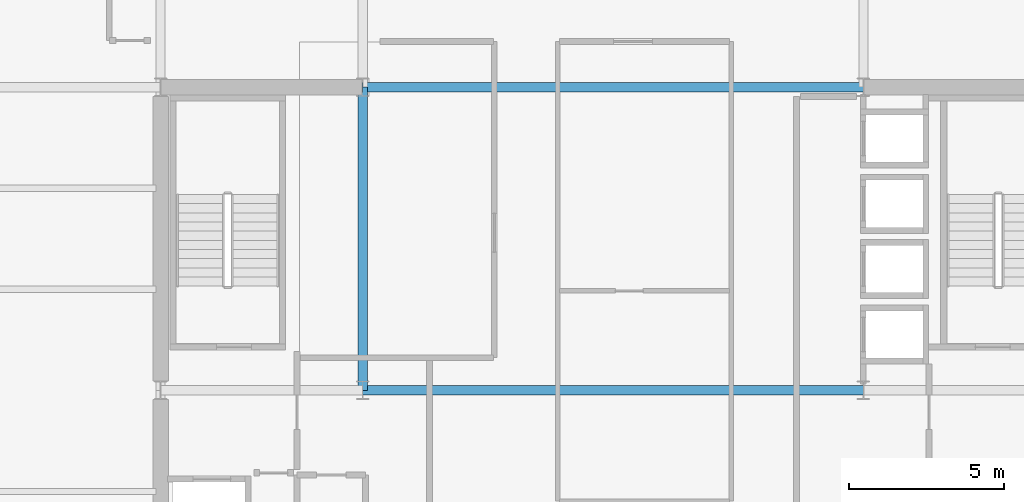
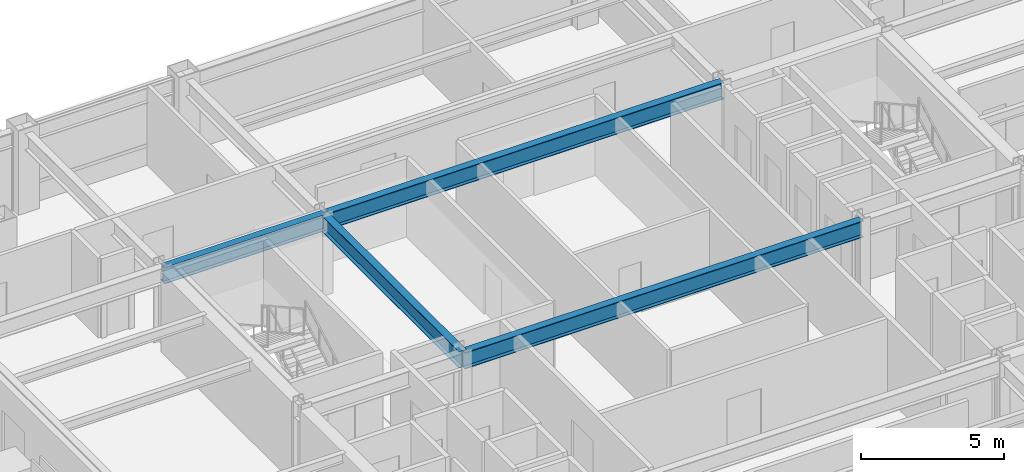
# One storey, part 10 of 30: 4 beams.
"""IFC4 building model written with IfcOpenShell, lengths in metres."""

from ifc_helpers import new_model, si_unit, direction, frame, origin, origin_2d, place, context, subcontext, project, spatial, i_section, extrude, material, material_profile, profile_set, type_object, element, save


model = new_model("IFC4")

# Units and contexts
model_context = context("Model", 3, precision=1e-05, world=origin(), true_north=direction((0.0, 1.0)))
body_context = subcontext(model_context, "Body", "Model", "MODEL_VIEW")
ifc_project = project(units=[si_unit("LENGTHUNIT", "METRE"), si_unit("AREAUNIT", "SQUARE_METRE"), si_unit("VOLUMEUNIT", "CUBIC_METRE"), si_unit("PLANEANGLEUNIT", "RADIAN"), si_unit("MASSUNIT", "GRAM", prefix="KILO")], contexts=[model_context])

# Site, building, storey
site_placement = place(None, origin())
site = spatial("IfcSite", under=ifc_project, at=site_placement, CompositionType="ELEMENT")
building_placement = place(site_placement, origin())
building = spatial("IfcBuilding", under=site, at=building_placement, Name="Brelmoor Portico Tower", CompositionType="ELEMENT")
storey_placement = place(building_placement, frame((0.0, 0.0, 102.60009765625)))
storey = spatial("IfcBuildingStorey", under=building, at=storey_placement, Name="L26", CompositionType="ELEMENT", Elevation=102.60009765625)

# Beams
ifc_material = material(Name="Steel Q355B", Category="steel")
ifc_material_profile = material_profile(ifc_material, i_section(OverallWidth=0.300048828125, OverallDepth=0.699951171875, WebThickness=0.012939453125, FlangeThickness=0.02392578125, at=origin_2d()), Name="HN 700x300x13x24")
ifc_profile_set = profile_set([ifc_material_profile], Name="Steel Q355B")
beam_type = type_object("IfcBeamType", Name="BM-PG-700", PredefinedType="BEAM", material=ifc_profile_set)
beam_1_placement = place(storey_placement, frame((-8.050048828125, 0.0, 3.0498046875), z_axis=(0.0, 1.0, 0.0), x_axis=(-1.0, 0.0, 0.0)))
element("IfcBeam", 1, at=beam_1_placement, inside=storey, type_object=beam_type, Name="L26 Primary Floor Girder PG-06", PredefinedType="BEAM", context=body_context, shape_type="SweptSolid", body=[
    extrude(i_section(OverallWidth=0.300048828125, OverallDepth=0.699951171875, WebThickness=0.012939453125, FlangeThickness=0.02392578125, at=origin_2d()), origin(), (0.0, 0.0, 1.0), 9.75),
])
beam_2_placement = place(storey_placement, frame((-8.050048828125, 0.0, 3.0498046875), z_axis=(1.0, 0.0, 0.0), x_axis=(0.0, 1.0, 0.0)))
element("IfcBeam", 2, at=beam_2_placement, inside=storey, type_object=beam_type, Name="L26 Primary Floor Girder PG-20", PredefinedType="BEAM", context=body_context, shape_type="SweptSolid", body=[
    extrude(i_section(OverallWidth=0.300048828125, OverallDepth=0.699951171875, WebThickness=0.012939453125, FlangeThickness=0.02392578125, at=origin_2d()), origin(), (0.0, 0.0, 1.0), 16.10009765625),
])
beam_3_placement = place(storey_placement, frame((-14.550048828125, 9.75, 3.0498046875), z_axis=(1.0, 0.0, 0.0), x_axis=(0.0, 1.0, 0.0)))
element("IfcBeam", 3, at=beam_3_placement, inside=storey, type_object=beam_type, Name="L26 Primary Floor Girder PG-23", PredefinedType="BEAM", context=body_context, shape_type="SweptSolid", body=[
    extrude(i_section(OverallWidth=0.300048828125, OverallDepth=0.699951171875, WebThickness=0.012939453125, FlangeThickness=0.02392578125, at=origin_2d()), origin(), (0.0, 0.0, 1.0), 6.5),
])
beam_4_placement = place(storey_placement, frame((-8.050048828125, 9.75, 3.0498046875), z_axis=(1.0, 0.0, 0.0), x_axis=(0.0, 1.0, 0.0)))
element("IfcBeam", 4, at=beam_4_placement, inside=storey, type_object=beam_type, Name="L26 Primary Floor Girder PG-24", PredefinedType="BEAM", context=body_context, shape_type="SweptSolid", body=[
    extrude(i_section(OverallWidth=0.300048828125, OverallDepth=0.699951171875, WebThickness=0.012939453125, FlangeThickness=0.02392578125, at=origin_2d()), origin(), (0.0, 0.0, 1.0), 16.10009765625),
])

save(model, "model.ifc")
